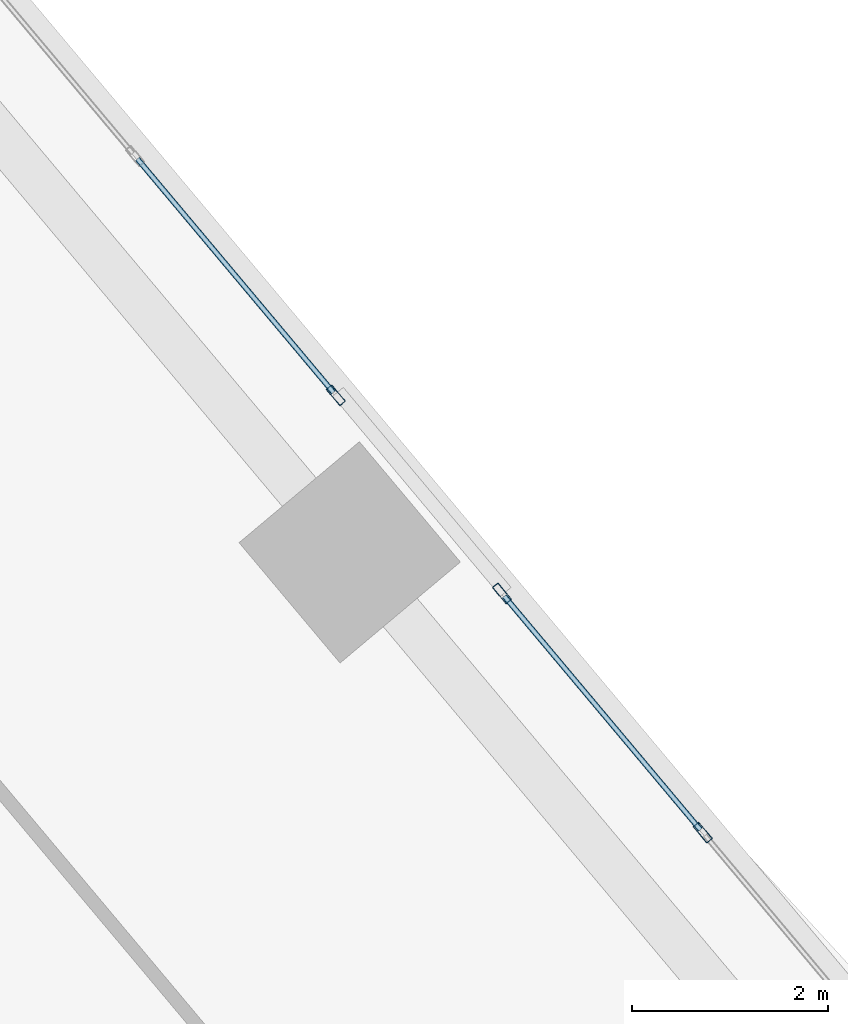
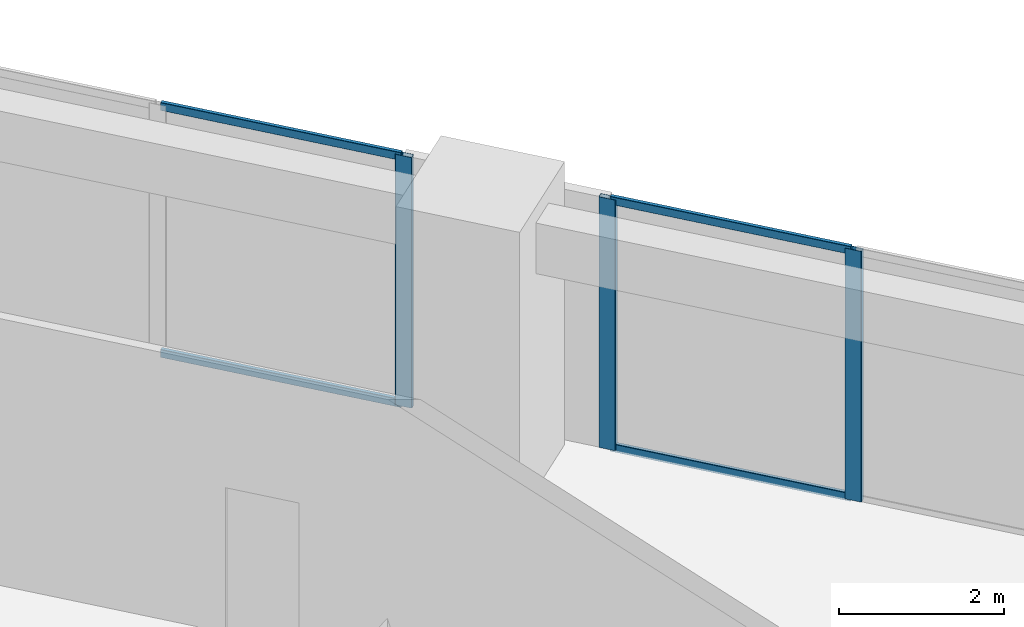
# One storey, part 11 of 17: 7 members, 2 elements without a shape of their own.
"""IFC4 building model written with IfcOpenShell, lengths in metres."""

from ifc_helpers import new_model, si_unit, direction, frame, origin, origin_2d, place, context, subcontext, project, spatial, hollow_rectangle, extrude, source, transform, mapped, material, material_profile, profile_set, type_object, element, aggregate, save


model = new_model("IFC4")

# Units and contexts
model_context = context("Model", 3, precision=1e-05, world=origin(), true_north=direction((0.0, 1.0)))
body_context = subcontext(model_context, "Body", "Model", "MODEL_VIEW")
ifc_project = project(units=[si_unit("LENGTHUNIT", "METRE"), si_unit("AREAUNIT", "SQUARE_METRE"), si_unit("VOLUMEUNIT", "CUBIC_METRE"), si_unit("PLANEANGLEUNIT", "RADIAN"), si_unit("MASSUNIT", "GRAM", prefix="KILO")], contexts=[model_context])

# Site, building, storey
site_placement = place(None, origin())
site = spatial("IfcSite", under=ifc_project, at=site_placement, CompositionType="ELEMENT")
building_placement = place(site_placement, origin())
building = spatial("IfcBuilding", under=site, at=building_placement, Name="Torre Montelarca", CompositionType="ELEMENT")
storey_placement = place(building_placement, frame((0.0, 0.0, 266.800048828125)))
storey = spatial("IfcBuildingStorey", under=building, at=storey_placement, Name="L60", CompositionType="ELEMENT", Elevation=266.800048828125)

# Curtain wall, members
ifc_material_1 = material(Name="Insulated low-E laminated glass", Category="glass")
curtain_wall_type = type_object("IfcCurtainWallType", Name="CW-SYS-Z3", PredefinedType="USERDEFINED", material=ifc_material_1)
curtain_wall_1_placement = place(storey_placement, origin())
curtain_wall_1 = element("IfcCurtainWall", 1, at=curtain_wall_1_placement, inside=storey, type_object=curtain_wall_type, Name="L60 Curtain Wall Run CW-T3-L60-E08-B2", ObjectType="UNITISED GLAZING", PredefinedType="USERDEFINED")
ifc_material_2 = material(Name="Anodised aluminium AA 6063-T6", Category="aluminium")
ifc_material_profile_1 = material_profile(ifc_material_2, hollow_rectangle(XDim=0.074951171875, YDim=0.219970703125, WallThickness=0.0048828125, InnerFilletRadius=0.0048828125, OuterFilletRadius=0.010009765625, at=origin_2d()), Name="ALU75X220X5", Category="aluminium")
ifc_profile_set_1 = profile_set([ifc_material_profile_1], Name="Anodised aluminium AA 6063-T6")
member_type_1 = type_object("IfcMemberType", Name="CWM-ALU220", PredefinedType="MULLION", material=ifc_profile_set_1)
shared_shape_1 = source(origin(), body_context, "Body", "SweptSolid", [
    extrude(hollow_rectangle(XDim=0.074951171875, YDim=0.219970703125, WallThickness=0.0048828125, InnerFilletRadius=0.0048828125, OuterFilletRadius=0.010009765625, at=origin_2d()), origin(), (0.0, 0.0, 1.0), 3.719970703125),
])
member_1_placement = place(storey_placement, frame((34.453125, 41.5634765625, 0.0), z_axis=(0.0, 0.0, 1.0), x_axis=(-0.766039106979, -0.642793968997, 0.0)))
member_1 = element("IfcMember", 2, at=member_1_placement, type_object=member_type_1, Name="CW mullion 2", PredefinedType="MULLION", context=body_context, shape_type="MappedRepresentation", body=[
    mapped(shared_shape_1, transform((0.0, 0.0, 0.0), scale=1.0)),
])
member_2_placement = place(storey_placement, frame((32.407470703125, 44.00146484375, 0.0), z_axis=(0.0, 0.0, 1.0), x_axis=(-0.766039106979, -0.642793968997, 0.0)))
member_2 = element("IfcMember", 3, at=member_2_placement, type_object=member_type_1, Name="CW mullion 3", PredefinedType="MULLION", context=body_context, shape_type="MappedRepresentation", body=[
    mapped(shared_shape_1, transform((0.0, 0.0, 0.0), scale=1.0)),
])

# Curtain wall, member
curtain_wall_2_placement = place(storey_placement, origin())
curtain_wall_2 = element("IfcCurtainWall", 4, at=curtain_wall_2_placement, inside=storey, type_object=curtain_wall_type, Name="L60 Curtain Wall Run CW-T3-L60-E08-B3", ObjectType="UNITISED GLAZING", PredefinedType="USERDEFINED")
member_3_placement = place(storey_placement, frame((30.713623046875, 46.02001953125, 0.0), z_axis=(0.0, 0.0, 1.0), x_axis=(-0.766039106979, -0.642793968997, 0.0)))
member_3 = element("IfcMember", 5, at=member_3_placement, type_object=member_type_1, Name="CW mullion 1", PredefinedType="MULLION", context=body_context, shape_type="MappedRepresentation", body=[
    mapped(shared_shape_1, transform((0.0, 0.0, 0.0), scale=1.0)),
])

# Member
ifc_material_profile_2 = material_profile(ifc_material_2, hollow_rectangle(XDim=0.054931640625, YDim=0.1201171875, WallThickness=0.00341796875, InnerFilletRadius=0.00341796875, OuterFilletRadius=0.007080078125, at=origin_2d()), Name="ALU55X120X3.5", Category="aluminium")
ifc_profile_set_2 = profile_set([ifc_material_profile_2], Name="Anodised aluminium AA 6063-T6")
member_type_2 = type_object("IfcMemberType", Name="CWT-ALU120", PredefinedType="USERDEFINED", material=ifc_profile_set_2)
shared_shape_2 = source(origin(), body_context, "Body", "SweptSolid", [
    extrude(hollow_rectangle(XDim=0.054931640625, YDim=0.1201171875, WallThickness=0.00341796875, InnerFilletRadius=0.00341796875, OuterFilletRadius=0.007080078125, at=origin_2d()), origin(), (0.0, 0.0, 1.0), 3.107421875),
])
member_4_placement = place(storey_placement, frame((34.428955078125, 41.59228515625, 0.02734375), z_axis=(-0.642823505504, 0.766014321519, 0.0), x_axis=(-0.766014321519, -0.642823505504, 0.0)))
member_4 = element("IfcMember", 6, at=member_4_placement, type_object=member_type_2, Name="CW transom 2.1", ObjectType="TRANSOM", PredefinedType="USERDEFINED", context=body_context, shape_type="MappedRepresentation", body=[
    mapped(shared_shape_2, transform((0.0, 0.0, 0.0), scale=1.0)),
])

member_5_placement = place(storey_placement, frame((34.428955078125, 41.59228515625, 3.6923828125), z_axis=(-0.642823505504, 0.766014321519, 0.0), x_axis=(-0.766014321519, -0.642823505504, 0.0)))
member_5 = element("IfcMember", 7, at=member_5_placement, type_object=member_type_2, Name="CW transom 2.2", ObjectType="TRANSOM", PredefinedType="USERDEFINED", context=body_context, shape_type="MappedRepresentation", body=[
    mapped(shared_shape_2, transform((0.0, 0.0, 0.0), scale=1.0)),
])

aggregate(curtain_wall_1, [member_1, member_2, member_4, member_5])

member_6_placement = place(storey_placement, frame((30.689697265625, 46.048828125, 0.02734375), z_axis=(-0.642823505504, 0.766014321519, 0.0), x_axis=(-0.766014321519, -0.642823505504, 0.0)))
member_6 = element("IfcMember", 8, at=member_6_placement, type_object=member_type_2, Name="CW transom 1.1", ObjectType="TRANSOM", PredefinedType="USERDEFINED", context=body_context, shape_type="MappedRepresentation", body=[
    mapped(shared_shape_2, transform((0.0, 0.0, 0.0), scale=1.0)),
])

member_7_placement = place(storey_placement, frame((30.689697265625, 46.048828125, 3.6923828125), z_axis=(-0.642823505504, 0.766014321519, 0.0), x_axis=(-0.766014321519, -0.642823505504, 0.0)))
member_7 = element("IfcMember", 9, at=member_7_placement, type_object=member_type_2, Name="CW transom 1.2", ObjectType="TRANSOM", PredefinedType="USERDEFINED", context=body_context, shape_type="MappedRepresentation", body=[
    mapped(shared_shape_2, transform((0.0, 0.0, 0.0), scale=1.0)),
])

aggregate(curtain_wall_2, [member_3, member_6, member_7])

save(model, "model.ifc")
